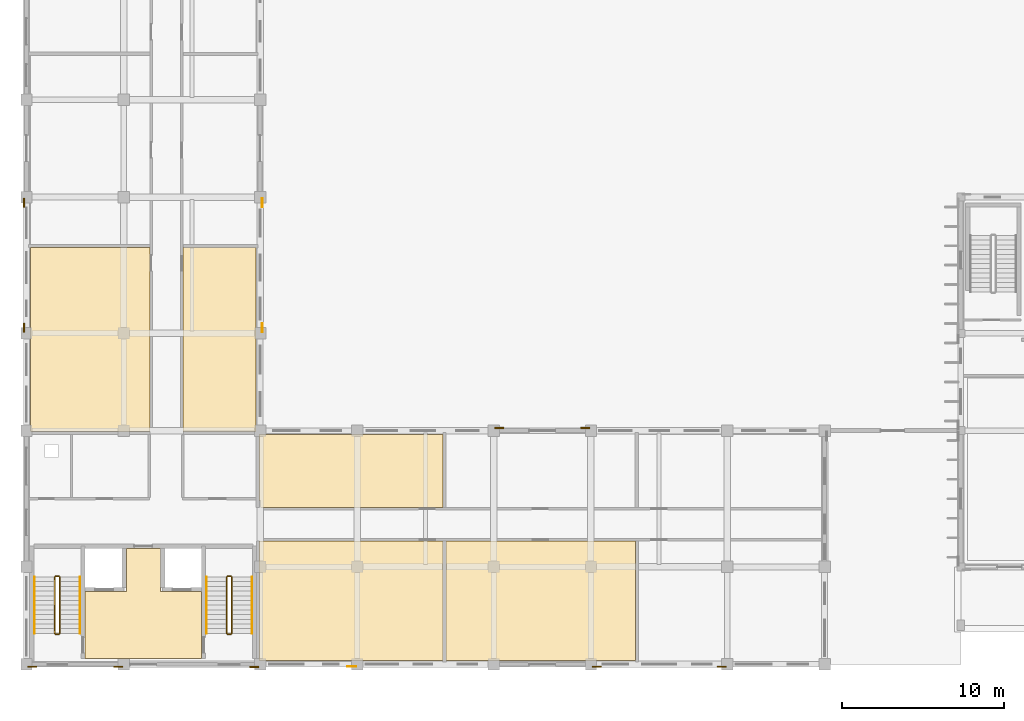
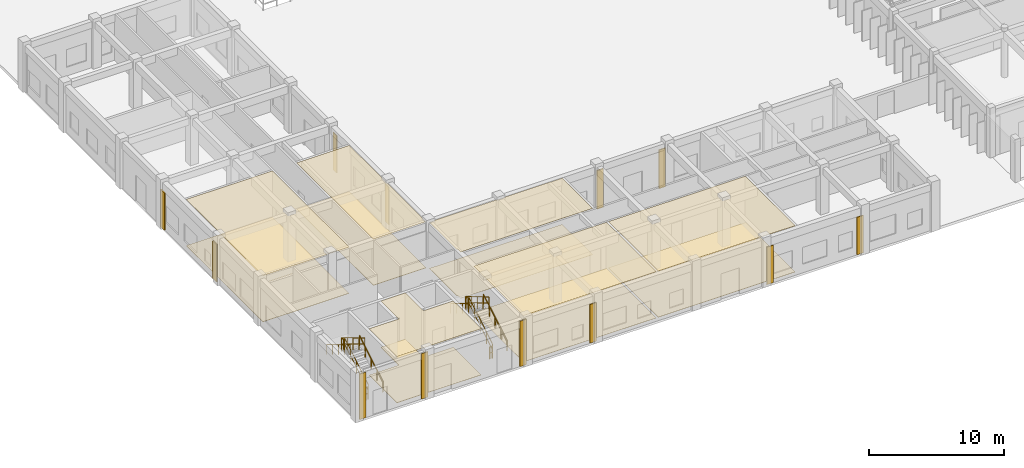
# One storey, part 51 of 67: 24 coverings, 12 railings.
"""IFC4 building model written with IfcOpenShell, lengths in metres."""

from ifc_helpers import new_model, si_unit, direction, frame, origin, origin_2d, place, context, subcontext, project, spatial, polyline, rectangle, outline, extrude, material, layer, layer_set, type_object, element, save


model = new_model("IFC4")

# Units and contexts
model_context = context("Model", 3, precision=1e-05, world=origin(), true_north=direction((0.0, 1.0)))
body_context = subcontext(model_context, "Body", "Model", "MODEL_VIEW")
ifc_project = project(units=[si_unit("LENGTHUNIT", "METRE"), si_unit("AREAUNIT", "SQUARE_METRE"), si_unit("VOLUMEUNIT", "CUBIC_METRE"), si_unit("PLANEANGLEUNIT", "RADIAN"), si_unit("MASSUNIT", "GRAM", prefix="KILO"), si_unit("THERMODYNAMICTEMPERATUREUNIT", "KELVIN")], contexts=[model_context])

# Site, building, storey
site_placement = place(None, origin())
site = spatial("IfcSite", under=ifc_project, at=site_placement, CompositionType="ELEMENT")
building_placement = place(site_placement, origin())
building = spatial("IfcBuilding", under=site, at=building_placement, Name="Thalorik Housing Commons", CompositionType="ELEMENT")
storey_placement = place(building_placement, origin())
storey = spatial("IfcBuildingStorey", under=building, at=storey_placement, Name="L00", CompositionType="ELEMENT", Elevation=0.0)

# Coverings
ifc_material_1 = material(Name="Precast concrete C40/50", Category="concrete")
ifc_layer_1 = layer(ifc_material_1, 0.074951171875, Name="Precast concrete C40/50", Category="concrete")
ifc_layer_set_1 = layer_set([ifc_layer_1], Name="Precast concrete C40/50")
covering_type_1 = type_object("IfcCoveringType", Name="ARC-CLD-PIER-75", PredefinedType="CLADDING", material=ifc_layer_set_1)
for number, where, z_axis, x_axis, name in (
    (1, (8.75, 8.248046875, 0.050048828125), (0.0, 0.0, 1.0), (1.0, 0.0, 0.0), "L00 Architectural Facade Cladding 3421"),
    (2, (14.050048828125, 8.248046875, 0.050048828125), (0.0, 0.0, 1.0), (1.0, 0.0, 0.0), "L00 Architectural Facade Cladding 3422"),
):
    element("IfcCovering", number, at=place(storey_placement, frame(where, z_axis=z_axis, x_axis=x_axis)), inside=storey, type_object=covering_type_1, Name=name, PredefinedType="CLADDING", context=body_context, shape_type="SweptSolid", body=[
        extrude(rectangle(XDim=0.550048828125, YDim=0.074951171875, at=origin_2d()), origin(), (0.0, 0.0, 1.0), 4.10009765625),
    ])
for number, where, z_axis, x_axis, name in (
    (3, (43.550048828125, 8.248046875, 0.0498046875), (0.0, 0.0, 1.0), (1.0, 0.0, 0.0), "L00 Architectural Facade Cladding 3425"),
    (4, (51.25, 8.248046875, 0.0498046875), (0.0, 0.0, 1.0), (1.0, 0.0, 0.0), "L00 Architectural Facade Cladding 3426"),
):
    element("IfcCovering", number, at=place(storey_placement, frame(where, z_axis=z_axis, x_axis=x_axis)), inside=storey, type_object=covering_type_1, Name=name, PredefinedType="CLADDING", context=body_context, shape_type="SweptSolid", body=[
        extrude(rectangle(XDim=0.550048828125, YDim=0.074951171875, at=origin_2d()), origin(), (0.0, 0.0, 1.0), 3.385009765625),
    ])
ifc_layer_2 = layer(ifc_material_1, 0.090087890625, Name="Precast concrete C40/50", Category="concrete")
ifc_layer_set_2 = layer_set([ifc_layer_2], Name="Precast concrete C40/50")
covering_type_2 = type_object("IfcCoveringType", Name="ARC-CLD-PIER-90", PredefinedType="CLADDING", material=ifc_layer_set_2)
for number, where, z_axis, x_axis, name in (
    (5, (8.240478515625, 36.85009765625, 0.0498046875), (0.0, 0.0, 1.0), (0.0, -1.0, 0.0), "L00 Architectural Facade Cladding 3419"),
    (6, (8.240478515625, 29.14990234375, 0.0498046875), (0.0, 0.0, 1.0), (0.0, -1.0, 0.0), "L00 Architectural Facade Cladding 3420"),
):
    element("IfcCovering", number, at=place(storey_placement, frame(where, z_axis=z_axis, x_axis=x_axis)), inside=storey, type_object=covering_type_2, Name=name, PredefinedType="CLADDING", context=body_context, shape_type="SweptSolid", body=[
        extrude(rectangle(XDim=0.550048828125, YDim=0.090087890625, at=origin_2d()), origin(), (0.0, 0.0, 1.0), 3.385009765625),
    ])
covering_1_placement = place(storey_placement, frame((22.449951171875, 8.240478515625, 0.050048828125), z_axis=(0.0, 0.0, 1.0), x_axis=(1.0, 0.0, 0.0)))
element("IfcCovering", 7, at=covering_1_placement, inside=storey, type_object=covering_type_2, Name="L00 Architectural Facade Cladding 3423", PredefinedType="CLADDING", context=body_context, shape_type="SweptSolid", body=[
    extrude(rectangle(XDim=0.550048828125, YDim=0.090087890625, at=origin_2d()), origin(), (0.0, 0.0, 1.0), 4.10009765625),
])
for number, where, z_axis, x_axis, name in (
    (8, (42.85009765625, 22.95947265625, 0.0498046875), (0.0, 0.0, 1.0), (-1.0, 0.0, 0.0), "L00 Architectural Facade Cladding 3428"),
    (9, (37.550048828125, 22.95947265625, 0.0498046875), (0.0, 0.0, 1.0), (-1.0, 0.0, 0.0), "L00 Architectural Facade Cladding 3429"),
):
    element("IfcCovering", number, at=place(storey_placement, frame(where, z_axis=z_axis, x_axis=x_axis)), inside=storey, type_object=covering_type_2, Name=name, PredefinedType="CLADDING", context=body_context, shape_type="SweptSolid", body=[
        extrude(rectangle(XDim=0.550048828125, YDim=0.090087890625, at=origin_2d()), origin(), (0.0, 0.0, 1.0), 3.485107421875),
    ])
ifc_material_2 = material(Name="Terracotta red mineral fibre-cement panel", Category="masonry")
ifc_layer_3 = layer(ifc_material_2, 0.054931640625, Name="Terracotta red mineral fibre-cement panel", Category="masonry")
ifc_layer_set_3 = layer_set([ifc_layer_3], Name="Terracotta red mineral fibre-cement panel")
covering_type_3 = type_object("IfcCoveringType", Name="ARC-CLD-RED-55", PredefinedType="CLADDING", material=ifc_layer_set_3)
for number, where, z_axis, x_axis, name in (
    (10, (22.94189453125, 29.14990234375, 0.0498046875), (0.0, 0.0, 1.0), (0.0, 1.0, 0.0), "L00 Architectural Facade Cladding 3414"),
    (11, (22.94189453125, 36.85009765625, 0.0498046875), (0.0, 0.0, 1.0), (0.0, 1.0, 0.0), "L00 Architectural Facade Cladding 3415"),
):
    element("IfcCovering", number, at=place(storey_placement, frame(where, z_axis=z_axis, x_axis=x_axis)), inside=storey, type_object=covering_type_3, Name=name, PredefinedType="CLADDING", context=body_context, shape_type="SweptSolid", body=[
        extrude(rectangle(XDim=0.550048828125, YDim=0.054931640625, at=origin_2d()), origin(), (0.0, 0.0, 1.0), 3.385009765625),
    ])
covering_2_placement = place(storey_placement, frame((28.449951171875, 8.258056640625, 0.0498046875), z_axis=(0.0, 0.0, 1.0), x_axis=(1.0, 0.0, 0.0)))
element("IfcCovering", 12, at=covering_2_placement, inside=storey, type_object=covering_type_3, Name="L00 Architectural Facade Cladding 3424", PredefinedType="CLADDING", context=body_context, shape_type="SweptSolid", body=[
    extrude(rectangle(XDim=0.550048828125, YDim=0.054931640625, at=origin_2d()), origin(), (0.0, 0.0, 1.0), 3.485107421875),
])
ifc_material_3 = material(Name="Slatted timber acoustic hall baffle ceiling", Category="wood")
ifc_layer_4 = layer(ifc_material_3, 0.02197265625, Name="Slatted timber acoustic hall baffle ceiling", Category="wood")
ifc_layer_set_4 = layer_set([ifc_layer_4], Name="Slatted timber acoustic hall baffle ceiling")
covering_type_4 = type_object("IfcCoveringType", Name="ARC-COV-CEIL-03", PredefinedType="CEILING", material=ifc_layer_set_4)
covering_3_placement = place(storey_placement, frame((0.0, 0.0, 4.177978515625)))
element("IfcCovering", 13, at=covering_3_placement, inside=storey, type_object=covering_type_4, Name="L00 Residents Lounge Suspended Ceiling", PredefinedType="CEILING", context=body_context, shape_type="SweptSolid", body=[
    extrude(outline(polyline([(34.090087890625, 8.639892578125), (34.090087890625, 16.0), (22.739990234375, 16.0), (22.739990234375, 8.639892578125), (34.090087890625, 8.639892578125)])), origin(), (0.0, 0.0, 1.0), 0.02197265625),
])
ifc_material_4 = material(Name="Moisture-resistant gypsum bathroom ceiling")
ifc_layer_5 = layer(ifc_material_4, 0.02490234375, Name="Moisture-resistant gypsum bathroom ceiling")
ifc_layer_set_5 = layer_set([ifc_layer_5], Name="Moisture-resistant gypsum bathroom ceiling")
covering_type_5 = type_object("IfcCoveringType", Name="ARC-COV-CEIL-04", PredefinedType="CEILING", material=ifc_layer_set_5)
covering_4_placement = place(storey_placement, frame((0.0, 0.0, 4.175048828125)))
element("IfcCovering", 14, at=covering_4_placement, inside=storey, type_object=covering_type_5, Name="L00 Block C Firefighting Lift Lobby Suspended Ceiling", PredefinedType="CEILING", context=body_context, shape_type="SweptSolid", body=[
    extrude(outline(polyline([(12.0, 12.8798828125), (12.0, 8.75), (19.199951171875, 8.75), (19.199951171875, 12.8798828125), (16.64990234375, 12.880126953125), (16.64990234375, 15.550048828125), (14.550048828125, 15.550048828125), (14.550048828125, 12.8798828125), (12.0, 12.8798828125)])), origin(), (0.0, 0.0, 1.0), 0.02490234375),
])
covering_5_placement = place(storey_placement, frame((0.0, 0.0, 4.175048828125)))
element("IfcCovering", 15, at=covering_5_placement, inside=storey, type_object=covering_type_5, Name="L00 Residents Cooperative Library Suspended Ceiling", PredefinedType="CEILING", context=body_context, shape_type="SweptSolid", body=[
    extrude(outline(polyline([(22.739990234375, 18.4951171875), (22.80712890625, 18.4931640625), (22.81494140625, 18.47998046875), (22.81494140625, 18.06005859375), (34.090087890625, 18.06005859375), (34.090087890625, 22.56005859375), (22.739990234375, 22.56005859375), (22.739990234375, 18.4951171875)])), origin(), (0.0, 0.0, 1.0), 0.02490234375),
])
ifc_material_5 = material(Name="Fire-rated calcium silicate corridor ceiling")
ifc_layer_6 = layer(ifc_material_5, 0.030029296875, Name="Fire-rated calcium silicate corridor ceiling")
ifc_layer_set_6 = layer_set([ifc_layer_6], Name="Fire-rated calcium silicate corridor ceiling")
covering_type_6 = type_object("IfcCoveringType", Name="ARC-COV-CEIL-05", PredefinedType="CEILING", material=ifc_layer_set_6)
covering_6_placement = place(storey_placement, frame((0.0, 0.0, 4.169921875)))
element("IfcCovering", 16, at=covering_6_placement, inside=storey, type_object=covering_type_6, Name="L00 Residents Lounge Suspended Ceiling", PredefinedType="CEILING", context=body_context, shape_type="SweptSolid", body=[
    extrude(outline(polyline([(16.0, 34.090087890625), (8.639892578125, 34.090087890625), (8.639892578125, 22.739990234375), (16.0, 22.739990234375), (16.0, 34.090087890625)])), origin(), (0.0, 0.0, 1.0), 0.030029296875),
])
covering_7_placement = place(storey_placement, frame((0.0, 0.0, 4.169921875)))
element("IfcCovering", 17, at=covering_7_placement, inside=storey, type_object=covering_type_6, Name="L00 Bicycle Repair Workshop Suspended Ceiling", PredefinedType="CEILING", context=body_context, shape_type="SweptSolid", body=[
    extrude(outline(polyline([(45.949951171875, 8.639892578125), (45.949951171875, 16.0), (34.25, 16.0), (34.25, 8.639892578125), (45.949951171875, 8.639892578125)])), origin(), (0.0, 0.0, 1.0), 0.030029296875),
])
ifc_material_6 = material(Name="Acoustic wood-wool nursery ceiling panel", Category="wood")
ifc_layer_7 = layer(ifc_material_6, 0.035888671875, Name="Acoustic wood-wool nursery ceiling panel", Category="wood")
ifc_layer_set_7 = layer_set([ifc_layer_7], Name="Acoustic wood-wool nursery ceiling panel")
covering_type_7 = type_object("IfcCoveringType", Name="ARC-COV-CEIL-06", PredefinedType="CEILING", material=ifc_layer_set_7)
covering_8_placement = place(storey_placement, frame((0.0, 0.0, 4.1640625)))
element("IfcCovering", 18, at=covering_8_placement, inside=storey, type_object=covering_type_7, Name="L00 Residents Cooperative Library Suspended Ceiling", PredefinedType="CEILING", context=body_context, shape_type="SweptSolid", body=[
    extrude(outline(polyline([(22.56005859375, 34.090087890625), (18.06005859375, 34.090087890625), (18.06005859375, 22.739990234375), (22.56005859375, 22.739990234375), (22.56005859375, 34.090087890625)])), origin(), (0.0, 0.0, 1.0), 0.035888671875),
])
ifc_material_7 = material(Name="Cushioned natural linoleum nursery playroom flooring")
ifc_layer_8 = layer(ifc_material_7, 0.02001953125, Name="Cushioned natural linoleum nursery playroom flooring")
ifc_layer_set_8 = layer_set([ifc_layer_8], Name="Cushioned natural linoleum nursery playroom flooring")
covering_type_8 = type_object("IfcCoveringType", Name="ARC-COV-FLR-03", PredefinedType="FLOORING", material=ifc_layer_set_8)
covering_9_placement = place(storey_placement, origin())
element("IfcCovering", 19, at=covering_9_placement, inside=storey, type_object=covering_type_8, Name="L00 Residents Lounge Flooring", PredefinedType="FLOORING", context=body_context, shape_type="SweptSolid", body=[
    extrude(outline(polyline([(34.090087890625, 8.639892578125), (34.090087890625, 16.0), (22.739990234375, 16.0), (22.739990234375, 8.639892578125), (34.090087890625, 8.639892578125)])), origin(), (0.0, 0.0, 1.0), 0.02001953125),
])
ifc_material_8 = material(Name="Sprung Brazilian oak assembly hall timber floor", Category="wood")
ifc_layer_9 = layer(ifc_material_8, 0.02392578125, Name="Sprung Brazilian oak assembly hall timber floor", Category="wood")
ifc_layer_set_9 = layer_set([ifc_layer_9], Name="Sprung Brazilian oak assembly hall timber floor")
covering_type_9 = type_object("IfcCoveringType", Name="ARC-COV-FLR-04", PredefinedType="FLOORING", material=ifc_layer_set_9)
covering_10_placement = place(storey_placement, origin())
element("IfcCovering", 20, at=covering_10_placement, inside=storey, type_object=covering_type_9, Name="L00 Block C Firefighting Lift Lobby Flooring", PredefinedType="FLOORING", context=body_context, shape_type="SweptSolid", body=[
    extrude(outline(polyline([(12.0, 12.8798828125), (12.0, 8.75), (19.199951171875, 8.75), (19.199951171875, 12.8798828125), (16.64990234375, 12.880126953125), (16.64990234375, 15.550048828125), (14.550048828125, 15.550048828125), (14.550048828125, 12.8798828125), (12.0, 12.8798828125)])), origin(), (0.0, 0.0, 1.0), 0.02392578125),
])
covering_11_placement = place(storey_placement, origin())
element("IfcCovering", 21, at=covering_11_placement, inside=storey, type_object=covering_type_9, Name="L00 Residents Cooperative Library Flooring", PredefinedType="FLOORING", context=body_context, shape_type="SweptSolid", body=[
    extrude(outline(polyline([(22.739990234375, 18.4951171875), (22.80712890625, 18.4931640625), (22.81494140625, 18.47998046875), (22.81494140625, 18.06005859375), (34.090087890625, 18.06005859375), (34.090087890625, 22.56005859375), (22.739990234375, 22.56005859375), (22.739990234375, 18.4951171875)])), origin(), (0.0, 0.0, 1.0), 0.02392578125),
])
ifc_material_9 = material(Name="Heavy-duty porcelain metro vestibule tile")
ifc_layer_10 = layer(ifc_material_9, 0.028076171875, Name="Heavy-duty porcelain metro vestibule tile")
ifc_layer_set_10 = layer_set([ifc_layer_10], Name="Heavy-duty porcelain metro vestibule tile")
covering_type_10 = type_object("IfcCoveringType", Name="ARC-COV-FLR-05", PredefinedType="FLOORING", material=ifc_layer_set_10)
covering_12_placement = place(storey_placement, origin())
element("IfcCovering", 22, at=covering_12_placement, inside=storey, type_object=covering_type_10, Name="L00 Residents Lounge Flooring", PredefinedType="FLOORING", context=body_context, shape_type="SweptSolid", body=[
    extrude(outline(polyline([(16.0, 34.090087890625), (8.639892578125, 34.090087890625), (8.639892578125, 22.739990234375), (16.0, 22.739990234375), (16.0, 34.090087890625)])), origin(), (0.0, 0.0, 1.0), 0.028076171875),
])
covering_13_placement = place(storey_placement, origin())
element("IfcCovering", 23, at=covering_13_placement, inside=storey, type_object=covering_type_10, Name="L00 Bicycle Repair Workshop Flooring", PredefinedType="FLOORING", context=body_context, shape_type="SweptSolid", body=[
    extrude(outline(polyline([(45.949951171875, 8.639892578125), (45.949951171875, 16.0), (34.25, 16.0), (34.25, 8.639892578125), (45.949951171875, 8.639892578125)])), origin(), (0.0, 0.0, 1.0), 0.028076171875),
])
ifc_material_10 = material(Name="Epoxy-sealed concrete plant and bicycle hub finish", Category="concrete")
ifc_layer_11 = layer(ifc_material_10, 0.031982421875, Name="Epoxy-sealed concrete plant and bicycle hub finish", Category="concrete")
ifc_layer_set_11 = layer_set([ifc_layer_11], Name="Epoxy-sealed concrete plant and bicycle hub finish")
covering_type_11 = type_object("IfcCoveringType", Name="ARC-COV-FLR-06", PredefinedType="FLOORING", material=ifc_layer_set_11)
covering_14_placement = place(storey_placement, origin())
element("IfcCovering", 24, at=covering_14_placement, inside=storey, type_object=covering_type_11, Name="L00 Residents Cooperative Library Flooring", PredefinedType="FLOORING", context=body_context, shape_type="SweptSolid", body=[
    extrude(outline(polyline([(22.56005859375, 34.090087890625), (18.06005859375, 34.090087890625), (18.06005859375, 22.739990234375), (22.56005859375, 22.739990234375), (22.56005859375, 34.090087890625)])), origin(), (0.0, 0.0, 1.0), 0.031982421875),
])

# Railings
ifc_material_11 = material(Name="Steel S355", Category="steel")
railing_type_1 = type_object("IfcRailingType", Name="ARC-RL-STR-GRD110", PredefinedType="GUARDRAIL", material=ifc_material_11)
railing_1_placement = place(storey_placement, frame((10.449951171875, 10.300048828125, 0.173095703125)))
element("IfcRailing", 25, at=railing_1_placement, inside=storey, type_object=railing_type_1, Name="L00 ST-C1 stair guard 1", PredefinedType="GUARDRAIL", context=body_context, shape_type="SweptSolid", body=[
    extrude(rectangle(XDim=0.048095703125, YDim=0.048095703125, at=origin_2d()), frame((0.0, 0.0, 1.076171875), z_axis=(0.0, 0.858697190188, 0.512483302717), x_axis=(-1.0, 0.0, 0.0)), (0.0, 0.0, 1.0), 4.052734375),
    extrude(rectangle(XDim=0.048095703125, YDim=0.048095703125, at=origin_2d()), frame((0.0, 0.0, 0.52587890625), z_axis=(0.0, 0.858697190188, 0.512483302717), x_axis=(-1.0, 0.0, 0.0)), (0.0, 0.0, 1.0), 4.052734375),
    extrude(rectangle(XDim=0.0419921875, YDim=0.0419921875, at=origin_2d()), origin(), (0.0, 0.0, 1.0), 1.052001953125),
    extrude(rectangle(XDim=0.0419921875, YDim=0.0419921875, at=origin_2d()), frame((0.0, 0.8701171875, 0.519287109375)), (0.0, 0.0, 1.0), 1.052001953125),
    extrude(rectangle(XDim=0.0419921875, YDim=0.0419921875, at=origin_2d()), frame((0.0, 1.739990234375, 1.03857421875)), (0.0, 0.0, 1.0), 1.052001953125),
    extrude(rectangle(XDim=0.0419921875, YDim=0.0419921875, at=origin_2d()), frame((0.0, 2.60986328125, 1.5576171875)), (0.0, 0.0, 1.0), 1.052001953125),
    extrude(rectangle(XDim=0.0419921875, YDim=0.0419921875, at=origin_2d()), frame((0.0, 3.47998046875, 2.076904296875)), (0.0, 0.0, 1.0), 1.052001953125),
])
railing_2_placement = place(storey_placement, frame((10.39990234375, 13.830078125, 2.25)))
element("IfcRailing", 26, at=railing_2_placement, inside=storey, type_object=railing_type_1, Name="L00 ST-C1 stair guard 2", PredefinedType="GUARDRAIL", context=body_context, shape_type="SweptSolid", body=[
    extrude(rectangle(XDim=0.048095703125, YDim=0.048095703125, at=origin_2d()), frame((0.0, 0.0, 1.076171875), z_axis=(-1.0, 0.0, 0.0), x_axis=(0.0, -1.0, 0.0)), (0.0, 0.0, 1.0), 0.199951171875),
    extrude(rectangle(XDim=0.048095703125, YDim=0.048095703125, at=origin_2d()), frame((0.0, 0.0, 0.52587890625), z_axis=(-1.0, 0.0, 0.0), x_axis=(0.0, -1.0, 0.0)), (0.0, 0.0, 1.0), 0.199951171875),
    extrude(rectangle(XDim=0.0419921875, YDim=0.0419921875, at=origin_2d()), origin(), (0.0, 0.0, 1.0), 1.052001953125),
    extrude(rectangle(XDim=0.0419921875, YDim=0.0419921875, at=origin_2d()), frame((-0.199951171875, 0.0, 0.0)), (0.0, 0.0, 1.0), 1.052001953125),
])
railing_3_placement = place(storey_placement, frame((10.14990234375, 13.780029296875, 2.423095703125)))
element("IfcRailing", 27, at=railing_3_placement, inside=storey, type_object=railing_type_1, Name="L00 ST-C1 stair guard 3", PredefinedType="GUARDRAIL", context=body_context, shape_type="SweptSolid", body=[
    extrude(rectangle(XDim=0.048095703125, YDim=0.048095703125, at=origin_2d()), frame((0.0, 0.0, 1.076171875), z_axis=(0.0, -0.858697190188, 0.512483302717), x_axis=(1.0, 0.0, 0.0)), (0.0, 0.0, 1.0), 4.052734375),
    extrude(rectangle(XDim=0.048095703125, YDim=0.048095703125, at=origin_2d()), frame((0.0, 0.0, 0.52587890625), z_axis=(0.0, -0.858697190188, 0.512483302717), x_axis=(1.0, 0.0, 0.0)), (0.0, 0.0, 1.0), 4.052734375),
    extrude(rectangle(XDim=0.0419921875, YDim=0.0419921875, at=origin_2d()), origin(), (0.0, 0.0, 1.0), 1.052001953125),
    extrude(rectangle(XDim=0.0419921875, YDim=0.0419921875, at=origin_2d()), frame((0.0, -0.8701171875, 0.519287109375)), (0.0, 0.0, 1.0), 1.052001953125),
    extrude(rectangle(XDim=0.0419921875, YDim=0.0419921875, at=origin_2d()), frame((0.0, -1.739990234375, 1.03857421875)), (0.0, 0.0, 1.0), 1.052001953125),
    extrude(rectangle(XDim=0.0419921875, YDim=0.0419921875, at=origin_2d()), frame((0.0, -2.60986328125, 1.5576171875)), (0.0, 0.0, 1.0), 1.052001953125),
    extrude(rectangle(XDim=0.0419921875, YDim=0.0419921875, at=origin_2d()), frame((0.0, -3.47998046875, 2.076904296875)), (0.0, 0.0, 1.0), 1.052001953125),
])
railing_4_placement = place(storey_placement, frame((10.39990234375, 10.25, 0.0)))
element("IfcRailing", 28, at=railing_4_placement, inside=storey, type_object=railing_type_1, Name="L00 ST-C1 stair guard 4", PredefinedType="GUARDRAIL", context=body_context, shape_type="SweptSolid", body=[
    extrude(rectangle(XDim=0.048095703125, YDim=0.048095703125, at=origin_2d()), frame((0.0, 0.0, 1.076171875), z_axis=(-1.0, 0.0, 0.0), x_axis=(0.0, -1.0, 0.0)), (0.0, 0.0, 1.0), 0.199951171875),
    extrude(rectangle(XDim=0.048095703125, YDim=0.048095703125, at=origin_2d()), frame((0.0, 0.0, 0.52587890625), z_axis=(-1.0, 0.0, 0.0), x_axis=(0.0, -1.0, 0.0)), (0.0, 0.0, 1.0), 0.199951171875),
    extrude(rectangle(XDim=0.0419921875, YDim=0.0419921875, at=origin_2d()), origin(), (0.0, 0.0, 1.0), 1.052001953125),
    extrude(rectangle(XDim=0.0419921875, YDim=0.0419921875, at=origin_2d()), frame((-0.199951171875, 0.0, 0.0)), (0.0, 0.0, 1.0), 1.052001953125),
])
railing_5_placement = place(storey_placement, frame((21.050048828125, 10.300048828125, 0.173095703125)))
element("IfcRailing", 29, at=railing_5_placement, inside=storey, type_object=railing_type_1, Name="L00 ST-C2 stair guard 1", PredefinedType="GUARDRAIL", context=body_context, shape_type="SweptSolid", body=[
    extrude(rectangle(XDim=0.048095703125, YDim=0.048095703125, at=origin_2d()), frame((0.0, 0.0, 1.076171875), z_axis=(0.0, 0.858697190188, 0.512483302717), x_axis=(-1.0, 0.0, 0.0)), (0.0, 0.0, 1.0), 4.052734375),
    extrude(rectangle(XDim=0.048095703125, YDim=0.048095703125, at=origin_2d()), frame((0.0, 0.0, 0.52587890625), z_axis=(0.0, 0.858697190188, 0.512483302717), x_axis=(-1.0, 0.0, 0.0)), (0.0, 0.0, 1.0), 4.052734375),
    extrude(rectangle(XDim=0.0419921875, YDim=0.0419921875, at=origin_2d()), origin(), (0.0, 0.0, 1.0), 1.052001953125),
    extrude(rectangle(XDim=0.0419921875, YDim=0.0419921875, at=origin_2d()), frame((0.0, 0.8701171875, 0.519287109375)), (0.0, 0.0, 1.0), 1.052001953125),
    extrude(rectangle(XDim=0.0419921875, YDim=0.0419921875, at=origin_2d()), frame((0.0, 1.739990234375, 1.03857421875)), (0.0, 0.0, 1.0), 1.052001953125),
    extrude(rectangle(XDim=0.0419921875, YDim=0.0419921875, at=origin_2d()), frame((0.0, 2.60986328125, 1.5576171875)), (0.0, 0.0, 1.0), 1.052001953125),
    extrude(rectangle(XDim=0.0419921875, YDim=0.0419921875, at=origin_2d()), frame((0.0, 3.47998046875, 2.076904296875)), (0.0, 0.0, 1.0), 1.052001953125),
])
railing_6_placement = place(storey_placement, frame((21.0, 13.830078125, 2.25)))
element("IfcRailing", 30, at=railing_6_placement, inside=storey, type_object=railing_type_1, Name="L00 ST-C2 stair guard 2", PredefinedType="GUARDRAIL", context=body_context, shape_type="SweptSolid", body=[
    extrude(rectangle(XDim=0.048095703125, YDim=0.048095703125, at=origin_2d()), frame((0.0, 0.0, 1.076171875), z_axis=(-1.0, 0.0, 0.0), x_axis=(0.0, -1.0, 0.0)), (0.0, 0.0, 1.0), 0.199951171875),
    extrude(rectangle(XDim=0.048095703125, YDim=0.048095703125, at=origin_2d()), frame((0.0, 0.0, 0.52587890625), z_axis=(-1.0, 0.0, 0.0), x_axis=(0.0, -1.0, 0.0)), (0.0, 0.0, 1.0), 0.199951171875),
    extrude(rectangle(XDim=0.0419921875, YDim=0.0419921875, at=origin_2d()), origin(), (0.0, 0.0, 1.0), 1.052001953125),
    extrude(rectangle(XDim=0.0419921875, YDim=0.0419921875, at=origin_2d()), frame((-0.199951171875, 0.0, 0.0)), (0.0, 0.0, 1.0), 1.052001953125),
])
railing_7_placement = place(storey_placement, frame((20.75, 13.780029296875, 2.423095703125)))
element("IfcRailing", 31, at=railing_7_placement, inside=storey, type_object=railing_type_1, Name="L00 ST-C2 stair guard 3", PredefinedType="GUARDRAIL", context=body_context, shape_type="SweptSolid", body=[
    extrude(rectangle(XDim=0.048095703125, YDim=0.048095703125, at=origin_2d()), frame((0.0, 0.0, 1.076171875), z_axis=(0.0, -0.858697190188, 0.512483302717), x_axis=(1.0, 0.0, 0.0)), (0.0, 0.0, 1.0), 4.052734375),
    extrude(rectangle(XDim=0.048095703125, YDim=0.048095703125, at=origin_2d()), frame((0.0, 0.0, 0.52587890625), z_axis=(0.0, -0.858697190188, 0.512483302717), x_axis=(1.0, 0.0, 0.0)), (0.0, 0.0, 1.0), 4.052734375),
    extrude(rectangle(XDim=0.0419921875, YDim=0.0419921875, at=origin_2d()), origin(), (0.0, 0.0, 1.0), 1.052001953125),
    extrude(rectangle(XDim=0.0419921875, YDim=0.0419921875, at=origin_2d()), frame((0.0, -0.8701171875, 0.519287109375)), (0.0, 0.0, 1.0), 1.052001953125),
    extrude(rectangle(XDim=0.0419921875, YDim=0.0419921875, at=origin_2d()), frame((0.0, -1.739990234375, 1.03857421875)), (0.0, 0.0, 1.0), 1.052001953125),
    extrude(rectangle(XDim=0.0419921875, YDim=0.0419921875, at=origin_2d()), frame((0.0, -2.60986328125, 1.5576171875)), (0.0, 0.0, 1.0), 1.052001953125),
    extrude(rectangle(XDim=0.0419921875, YDim=0.0419921875, at=origin_2d()), frame((0.0, -3.47998046875, 2.076904296875)), (0.0, 0.0, 1.0), 1.052001953125),
])
railing_8_placement = place(storey_placement, frame((21.0, 10.25, 0.0)))
element("IfcRailing", 32, at=railing_8_placement, inside=storey, type_object=railing_type_1, Name="L00 ST-C2 stair guard 4", PredefinedType="GUARDRAIL", context=body_context, shape_type="SweptSolid", body=[
    extrude(rectangle(XDim=0.048095703125, YDim=0.048095703125, at=origin_2d()), frame((0.0, 0.0, 1.076171875), z_axis=(-1.0, 0.0, 0.0), x_axis=(0.0, -1.0, 0.0)), (0.0, 0.0, 1.0), 0.199951171875),
    extrude(rectangle(XDim=0.048095703125, YDim=0.048095703125, at=origin_2d()), frame((0.0, 0.0, 0.52587890625), z_axis=(-1.0, 0.0, 0.0), x_axis=(0.0, -1.0, 0.0)), (0.0, 0.0, 1.0), 0.199951171875),
    extrude(rectangle(XDim=0.0419921875, YDim=0.0419921875, at=origin_2d()), origin(), (0.0, 0.0, 1.0), 1.052001953125),
    extrude(rectangle(XDim=0.0419921875, YDim=0.0419921875, at=origin_2d()), frame((-0.199951171875, 0.0, 0.0)), (0.0, 0.0, 1.0), 1.052001953125),
])
railing_type_2 = type_object("IfcRailingType", Name="ARC-RL-STR-HR092", PredefinedType="HANDRAIL", material=ifc_material_11)
railing_9_placement = place(storey_placement, frame((11.699951171875, 10.300048828125, 0.173095703125)))
element("IfcRailing", 33, at=railing_9_placement, inside=storey, type_object=railing_type_2, Name="L00 ST-C1 stair handrail 1", PredefinedType="HANDRAIL", context=body_context, shape_type="SweptSolid", body=[
    extrude(rectangle(XDim=0.048095703125, YDim=0.048095703125, at=origin_2d()), frame((0.0, 0.0, 0.89599609375), z_axis=(0.0, 0.858697190188, 0.512483302717), x_axis=(-1.0, 0.0, 0.0)), (0.0, 0.0, 1.0), 4.052734375),
    extrude(rectangle(XDim=0.0419921875, YDim=0.0419921875, at=origin_2d()), origin(), (0.0, 0.0, 1.0), 0.871826171875),
    extrude(rectangle(XDim=0.0419921875, YDim=0.0419921875, at=origin_2d()), frame((0.0, 0.8701171875, 0.519287109375)), (0.0, 0.0, 1.0), 0.871826171875),
    extrude(rectangle(XDim=0.0419921875, YDim=0.0419921875, at=origin_2d()), frame((0.0, 1.739990234375, 1.03857421875)), (0.0, 0.0, 1.0), 0.871826171875),
    extrude(rectangle(XDim=0.0419921875, YDim=0.0419921875, at=origin_2d()), frame((0.0, 2.60986328125, 1.5576171875)), (0.0, 0.0, 1.0), 0.871826171875),
    extrude(rectangle(XDim=0.0419921875, YDim=0.0419921875, at=origin_2d()), frame((0.0, 3.47998046875, 2.076904296875)), (0.0, 0.0, 1.0), 0.871826171875),
])
railing_10_placement = place(storey_placement, frame((8.89990234375, 13.780029296875, 2.423095703125)))
element("IfcRailing", 34, at=railing_10_placement, inside=storey, type_object=railing_type_2, Name="L00 ST-C1 stair handrail 2", PredefinedType="HANDRAIL", context=body_context, shape_type="SweptSolid", body=[
    extrude(rectangle(XDim=0.048095703125, YDim=0.048095703125, at=origin_2d()), frame((0.0, 0.0, 0.89599609375), z_axis=(0.0, -0.858697190188, 0.512483302717), x_axis=(1.0, 0.0, 0.0)), (0.0, 0.0, 1.0), 4.052734375),
    extrude(rectangle(XDim=0.0419921875, YDim=0.0419921875, at=origin_2d()), origin(), (0.0, 0.0, 1.0), 0.871826171875),
    extrude(rectangle(XDim=0.0419921875, YDim=0.0419921875, at=origin_2d()), frame((0.0, -0.8701171875, 0.519287109375)), (0.0, 0.0, 1.0), 0.871826171875),
    extrude(rectangle(XDim=0.0419921875, YDim=0.0419921875, at=origin_2d()), frame((0.0, -1.739990234375, 1.03857421875)), (0.0, 0.0, 1.0), 0.871826171875),
    extrude(rectangle(XDim=0.0419921875, YDim=0.0419921875, at=origin_2d()), frame((0.0, -2.60986328125, 1.5576171875)), (0.0, 0.0, 1.0), 0.871826171875),
    extrude(rectangle(XDim=0.0419921875, YDim=0.0419921875, at=origin_2d()), frame((0.0, -3.47998046875, 2.076904296875)), (0.0, 0.0, 1.0), 0.871826171875),
])
railing_11_placement = place(storey_placement, frame((22.300048828125, 10.300048828125, 0.173095703125)))
element("IfcRailing", 35, at=railing_11_placement, inside=storey, type_object=railing_type_2, Name="L00 ST-C2 stair handrail 1", PredefinedType="HANDRAIL", context=body_context, shape_type="SweptSolid", body=[
    extrude(rectangle(XDim=0.048095703125, YDim=0.048095703125, at=origin_2d()), frame((0.0, 0.0, 0.89599609375), z_axis=(0.0, 0.858697190188, 0.512483302717), x_axis=(-1.0, 0.0, 0.0)), (0.0, 0.0, 1.0), 4.052734375),
    extrude(rectangle(XDim=0.0419921875, YDim=0.0419921875, at=origin_2d()), origin(), (0.0, 0.0, 1.0), 0.871826171875),
    extrude(rectangle(XDim=0.0419921875, YDim=0.0419921875, at=origin_2d()), frame((0.0, 0.8701171875, 0.519287109375)), (0.0, 0.0, 1.0), 0.871826171875),
    extrude(rectangle(XDim=0.0419921875, YDim=0.0419921875, at=origin_2d()), frame((0.0, 1.739990234375, 1.03857421875)), (0.0, 0.0, 1.0), 0.871826171875),
    extrude(rectangle(XDim=0.0419921875, YDim=0.0419921875, at=origin_2d()), frame((0.0, 2.60986328125, 1.5576171875)), (0.0, 0.0, 1.0), 0.871826171875),
    extrude(rectangle(XDim=0.0419921875, YDim=0.0419921875, at=origin_2d()), frame((0.0, 3.47998046875, 2.076904296875)), (0.0, 0.0, 1.0), 0.871826171875),
])
railing_12_placement = place(storey_placement, frame((19.5, 13.780029296875, 2.423095703125)))
element("IfcRailing", 36, at=railing_12_placement, inside=storey, type_object=railing_type_2, Name="L00 ST-C2 stair handrail 2", PredefinedType="HANDRAIL", context=body_context, shape_type="SweptSolid", body=[
    extrude(rectangle(XDim=0.048095703125, YDim=0.048095703125, at=origin_2d()), frame((0.0, 0.0, 0.89599609375), z_axis=(0.0, -0.858697190188, 0.512483302717), x_axis=(1.0, 0.0, 0.0)), (0.0, 0.0, 1.0), 4.052734375),
    extrude(rectangle(XDim=0.0419921875, YDim=0.0419921875, at=origin_2d()), origin(), (0.0, 0.0, 1.0), 0.871826171875),
    extrude(rectangle(XDim=0.0419921875, YDim=0.0419921875, at=origin_2d()), frame((0.0, -0.8701171875, 0.519287109375)), (0.0, 0.0, 1.0), 0.871826171875),
    extrude(rectangle(XDim=0.0419921875, YDim=0.0419921875, at=origin_2d()), frame((0.0, -1.739990234375, 1.03857421875)), (0.0, 0.0, 1.0), 0.871826171875),
    extrude(rectangle(XDim=0.0419921875, YDim=0.0419921875, at=origin_2d()), frame((0.0, -2.60986328125, 1.5576171875)), (0.0, 0.0, 1.0), 0.871826171875),
    extrude(rectangle(XDim=0.0419921875, YDim=0.0419921875, at=origin_2d()), frame((0.0, -3.47998046875, 2.076904296875)), (0.0, 0.0, 1.0), 0.871826171875),
])

save(model, "model.ifc")
